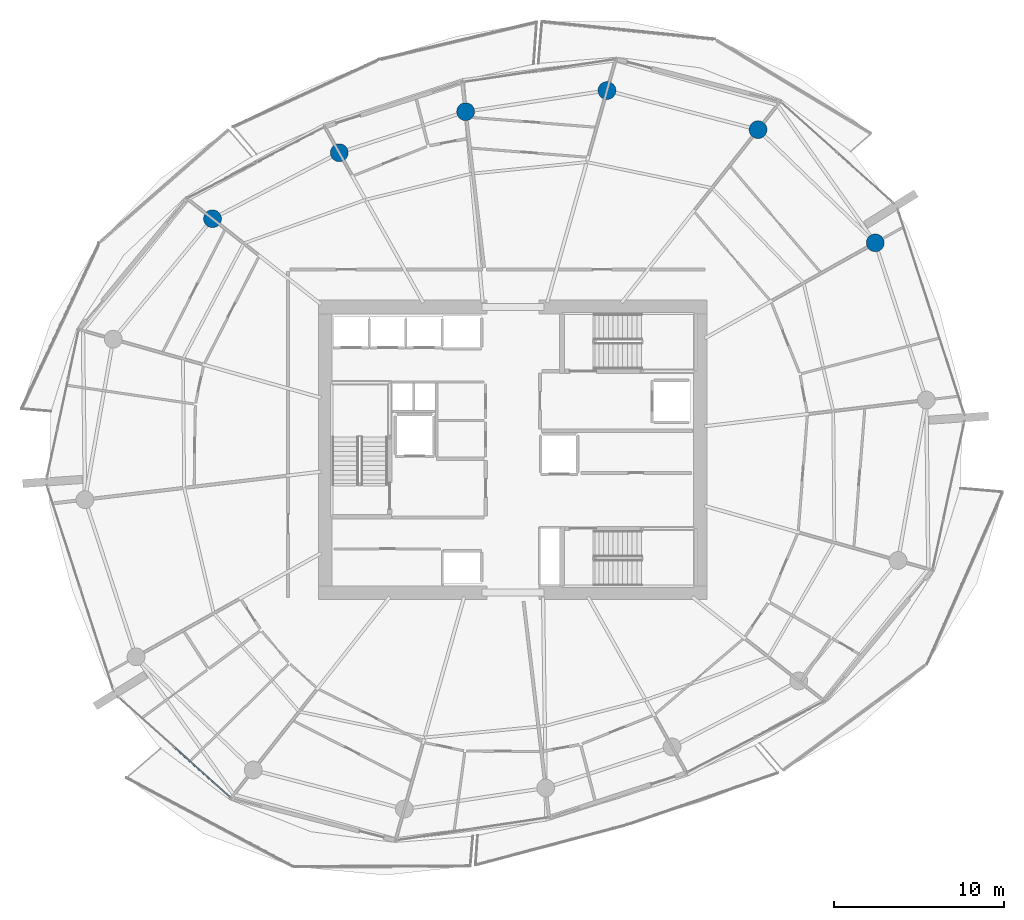
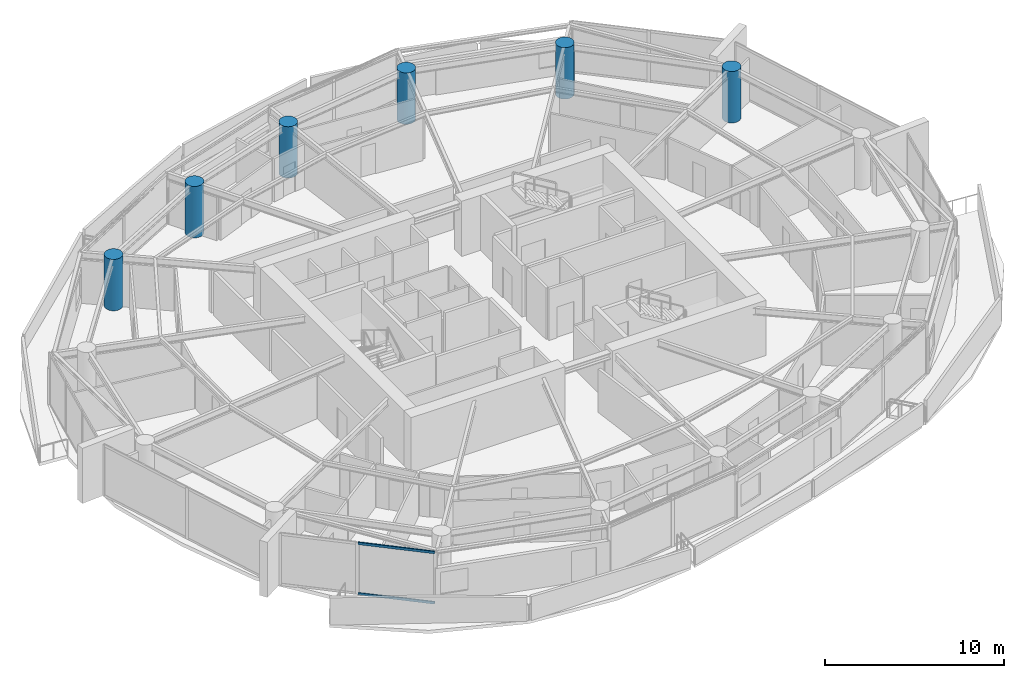
# One storey, part 4 of 20: 6 columns, 2 members, 1 element without a shape of its own.
"""IFC4 building model written with IfcOpenShell, lengths in metres."""

from ifc_helpers import new_model, si_unit, direction, frame, origin, origin_2d, place, context, subcontext, project, spatial, rectangle, circle, extrude, material, layer, layer_set, material_profile, profile_set, type_object, element, aggregate, save


model = new_model("IFC4")

# Units and contexts
model_context = context("Model", 3, precision=1e-05, world=origin(), true_north=direction((0.0, 1.0)))
body_context = subcontext(model_context, "Body", "Model", "MODEL_VIEW")
ifc_project = project(units=[si_unit("LENGTHUNIT", "METRE"), si_unit("AREAUNIT", "SQUARE_METRE"), si_unit("VOLUMEUNIT", "CUBIC_METRE"), si_unit("PLANEANGLEUNIT", "RADIAN"), si_unit("MASSUNIT", "GRAM", prefix="KILO")], contexts=[model_context])

# Site, building, storey
site_placement = place(None, origin())
site = spatial("IfcSite", under=ifc_project, at=site_placement, CompositionType="ELEMENT")
building_placement = place(site_placement, origin())
building = spatial("IfcBuilding", under=site, at=building_placement, Name="Kazma Halo Residences", CompositionType="ELEMENT")
storey_placement = place(building_placement, frame((0.0, 0.0, 154.050048828125)))
storey = spatial("IfcBuildingStorey", under=building, at=storey_placement, Name="L38", CompositionType="ELEMENT", Elevation=154.050048828125)

# Columns
ifc_material_1 = material(Name="Concrete C80/95", Category="concrete")
ifc_material_profile_1 = material_profile(ifc_material_1, circle(Radius=0.52490234375, at=origin_2d()), Name="CIRC1050")
ifc_profile_set_1 = profile_set([ifc_material_profile_1], Name="Concrete C80/95")
column_type = type_object("IfcColumnType", Name="COL-PERIM-1050", PredefinedType="COLUMN", material=ifc_profile_set_1)
for number, where, z_axis, x_axis, name in (
    (1, (69.730224609375, 54.16943359375, 0.0), (0.0, 0.0, 1.0), (1.0, 0.0, 0.0), "L38 perimeter ring column P01"),
    (2, (62.839599609375, 60.82373046875, 0.0), (0.0, 0.0, 1.0), (1.0, 0.0, 0.0), "L38 perimeter ring column P02"),
    (3, (53.95703125, 63.121826171875, 0.0), (0.0, 0.0, 1.0), (1.0, 0.0, 0.0), "L38 perimeter ring column P03"),
    (4, (45.64697265625, 61.881103515625, 0.0), (0.0, 0.0, 1.0), (1.0, 0.0, 0.0), "L38 perimeter ring column P04"),
    (5, (38.218017578125, 59.46728515625, 0.0), (0.0, 0.0, 1.0), (1.0, 0.0, 0.0), "L38 perimeter ring column P05"),
    (6, (30.765625, 55.58642578125, 0.0), (0.0, 0.0, 1.0), (1.0, 0.0, 0.0), "L38 perimeter ring column P06"),
):
    element("IfcColumn", number, at=place(storey_placement, frame(where, z_axis=z_axis, x_axis=x_axis)), inside=storey, type_object=column_type, Name=name, PredefinedType="COLUMN", context=body_context, shape_type="SweptSolid", body=[
        extrude(circle(Radius=0.52490234375, at=origin_2d()), origin(), (0.0, 0.0, 1.0), 3.5),
    ])

# Curtain wall, members
ifc_material_2 = material(Name="Aluminium AW-6063 T6 and Triple-Silver Low-E Glass", Category="aluminium")
ifc_layer = layer(ifc_material_2, 0.219970703125)
ifc_layer_set = layer_set([ifc_layer], Name="Aluminium AW-6063 T6 and Triple-Silver Low-E Glass")
curtain_wall_type = type_object("IfcCurtainWallType", Name="CW-SYS-4", PredefinedType="NOTDEFINED", material=ifc_layer_set)
curtain_wall_placement = place(storey_placement, origin())
curtain_wall = element("IfcCurtainWall", 7, at=curtain_wall_placement, inside=storey, type_object=curtain_wall_type, Name="L38 unitised curtain wall B09", PredefinedType="NOTDEFINED")
ifc_material_3 = material(Name="Aluminium AW-6063 T6", Category="aluminium")
ifc_material_profile_2 = material_profile(ifc_material_3, rectangle(XDim=0.074951171875, YDim=0.1650390625, at=origin_2d()), Name="CWT-75x165")
ifc_profile_set_2 = profile_set([ifc_material_profile_2], Name="Aluminium AW-6063 T6")
member_type = type_object("IfcMemberType", Name="CW-SYS-4-TRN", PredefinedType="USERDEFINED", material=ifc_profile_set_2)
member_1_placement = place(storey_placement, frame((28.552734375, 24.485107421875, 0.037353515625), z_axis=(0.744372794017, -0.667764287401, 0.0), x_axis=(0.667764287401, 0.744372794017, 0.0)))
member_1 = element("IfcMember", 8, at=member_1_placement, type_object=member_type, Name="CWS-4 transom 2.1", ObjectType="TRANSOM", PredefinedType="USERDEFINED", context=body_context, shape_type="SweptSolid", body=[
    extrude(rectangle(XDim=0.074951171875, YDim=0.1650390625, at=origin_2d()), origin(), (0.0, 0.0, 1.0), 4.36279296875),
])
member_2_placement = place(storey_placement, frame((28.552734375, 24.485107421875, 3.46240234375), z_axis=(0.744372794017, -0.667764287401, 0.0), x_axis=(0.667764287401, 0.744372794017, 0.0)))
member_2 = element("IfcMember", 9, at=member_2_placement, type_object=member_type, Name="CWS-4 transom 2.2", ObjectType="TRANSOM", PredefinedType="USERDEFINED", context=body_context, shape_type="SweptSolid", body=[
    extrude(rectangle(XDim=0.074951171875, YDim=0.1650390625, at=origin_2d()), origin(), (0.0, 0.0, 1.0), 4.36279296875),
])
aggregate(curtain_wall, [member_1, member_2])

save(model, "model.ifc")
